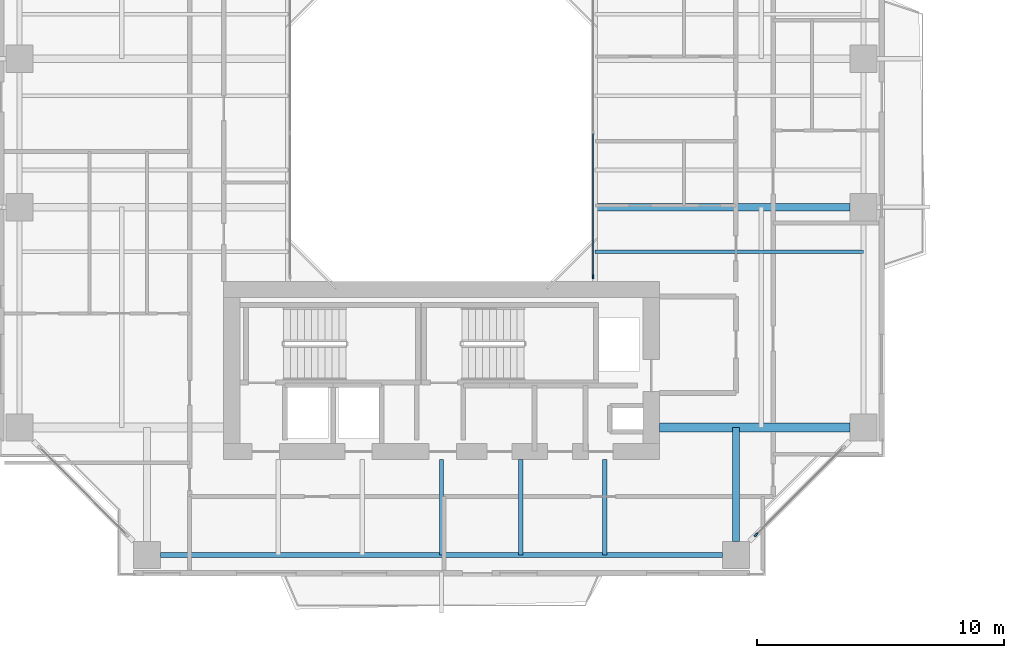
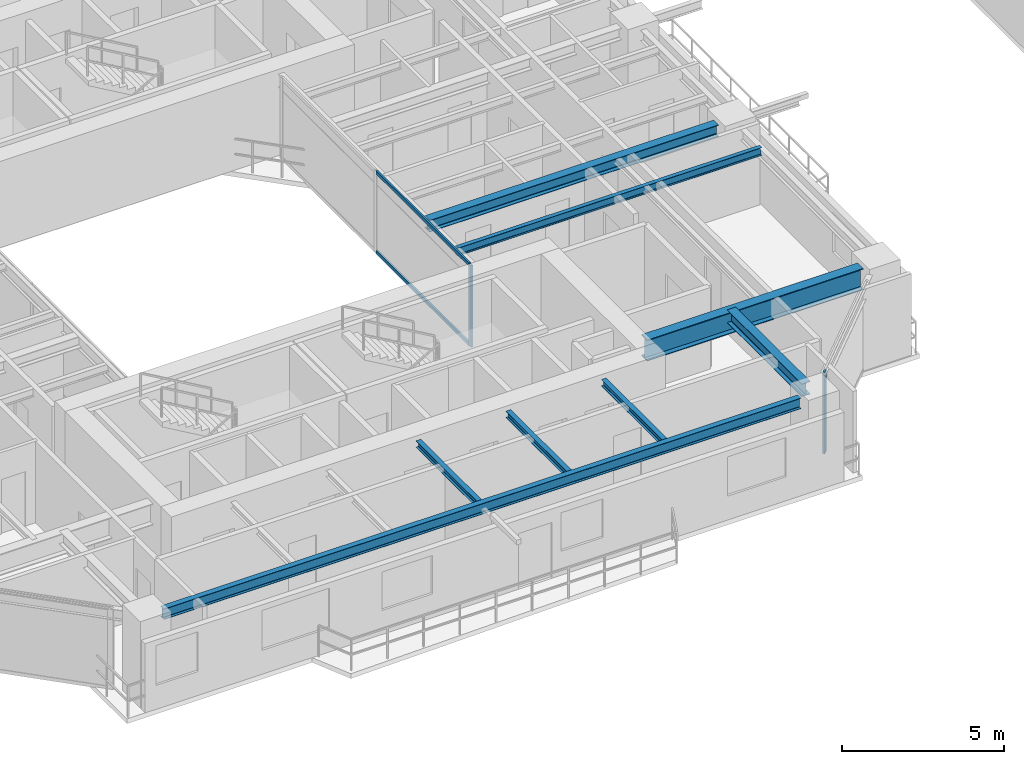
# One storey, part 4 of 23: 8 beams, 4 members, 2 elements without a shape of their own.
"""IFC4 building model written with IfcOpenShell, lengths in metres."""

import ifcopenshell
import ifcopenshell.guid

model = None  # the IFC model being written
_history = None  # IfcOwnerHistory: only IFC2X3 demands one
_inside = {}  # id of a spatial element -> (the spatial element, [elements in it])
_under = {}  # id of a project, library or spatial element -> (it, [spatial elements below it])
_declared = {}  # id of a project -> (the project, [libraries it declares])
_typed = {}  # id of a type object -> (the type object, [elements of that type])
_made_of = {}  # id of a material, layer set ... -> (it, [elements and type objects made of it])


def new_model(schema):
    """Start an empty IFC model of exactly this schema.

    Asked for "IFC4X3", IfcOpenShell would pick the latest addendum, in which some entities
    have other attributes; the version numbers below select the first issue.
    IFC2X3 requires an IfcOwnerHistory on every rooted entity: one is made here for all.
    """
    global model, _history
    if schema == "IFC4X3":
        model = ifcopenshell.file(schema_version=(4, 3, 0, 0))
    else:
        model = ifcopenshell.file(schema=schema)
    _inside.clear()
    _under.clear()
    _declared.clear()
    _typed.clear()
    _made_of.clear()
    _history = None
    if model.schema == "IFC2X3":
        org = make("IfcOrganization", Name="unknown")
        user = make(
            "IfcPersonAndOrganization",
            ThePerson=make("IfcPerson", FamilyName="unknown"),
            TheOrganization=org,
        )
        app = make(
            "IfcApplication",
            ApplicationDeveloper=org,
            Version="unknown",
            ApplicationFullName="unknown",
            ApplicationIdentifier="unknown",
        )
        _history = make(
            "IfcOwnerHistory",
            OwningUser=user,
            OwningApplication=app,
            ChangeAction="ADDED",
            CreationDate=0,
        )
    return model


def make(cls, **values):
    """One entity of the class cls with the attributes given. An attribute that is None is left unset."""
    return model.create_entity(
        cls, **{name: value for name, value in values.items() if value is not None}
    )


def rooted(cls, **values):
    """An entity with a GlobalId (a new one), such as an element, a storey or a relation."""
    return make(cls, GlobalId=ifcopenshell.guid.new(), OwnerHistory=_history, **values)


def si_unit(unit_type, name, prefix=None):
    """IfcSIUnit, for example si_unit("LENGTHUNIT", "METRE", prefix="MILLI")."""
    return make("IfcSIUnit", UnitType=unit_type, Prefix=prefix, Name=name)


def assignment(units):
    """IfcUnitAssignment: the units of a project."""
    return None if units is None else make("IfcUnitAssignment", Units=units)


def point(xyz):
    """IfcCartesianPoint."""
    return None if xyz is None else make("IfcCartesianPoint", Coordinates=xyz)


def direction(xyz):
    """IfcDirection."""
    return None if xyz is None else make("IfcDirection", DirectionRatios=xyz)


def frame(location, z_axis=None, x_axis=None):
    """IfcAxis2Placement3D, a coordinate frame: its origin and axes. An axis left out is left unset."""
    return make(
        "IfcAxis2Placement3D",
        Location=point(location),
        Axis=direction(z_axis),
        RefDirection=direction(x_axis),
    )


def frame_2d(location, x_axis=None):
    """IfcAxis2Placement2D, a coordinate frame in the plane: its origin and x axis."""
    return make(
        "IfcAxis2Placement2D", Location=point(location), RefDirection=direction(x_axis)
    )


def origin():
    """The frame at (0, 0, 0) with its axes left unset."""
    return frame((0.0, 0.0, 0.0))


def origin_2d():
    """The frame at (0, 0) in the plane with its x axis left unset."""
    return frame_2d((0.0, 0.0))


def place(relative_to, where):
    """IfcLocalPlacement: puts the frame where relative to a parent placement (None: the world)."""
    return make(
        "IfcLocalPlacement", PlacementRelTo=relative_to, RelativePlacement=where
    )


def context(
    kind, dimensions, precision=None, world=None, true_north=None, identifier=None
):
    """IfcGeometricRepresentationContext, for example the 3D "Model" context."""
    return make(
        "IfcGeometricRepresentationContext",
        ContextIdentifier=identifier,
        ContextType=kind,
        CoordinateSpaceDimension=dimensions,
        Precision=precision,
        WorldCoordinateSystem=world,
        TrueNorth=true_north,
    )


def subcontext(parent, identifier, kind, view, scale=None):
    """IfcGeometricRepresentationSubContext, for example "Body" below "Model"."""
    return make(
        "IfcGeometricRepresentationSubContext",
        ContextIdentifier=identifier,
        ContextType=kind,
        ParentContext=parent,
        TargetScale=scale,
        TargetView=view,
    )


def project(units=None, contexts=None):
    """IfcProject with its units and contexts."""
    return rooted(
        "IfcProject",
        Name="project",
        RepresentationContexts=contexts,
        UnitsInContext=assignment(units),
    )


def spatial(cls, under=None, at=None, **own):
    """A site, building, storey or space (cls), placed at a placement, below another one or the project."""
    s = rooted(cls, ObjectPlacement=at, **own)
    if under is not None:
        _under.setdefault(under.id(), (under, []))[1].append(s)
    return s


def profile(cls, at=None, kind="AREA", **sizes):
    """A parametric profile (cls). Its sizes go by their IFC names, for example OverallWidth=200.0."""
    return make(cls, ProfileType=kind, Position=at, **sizes)


def rectangle(**sizes):
    """IfcRectangleProfileDef."""
    return profile("IfcRectangleProfileDef", **sizes)


def i_section(**sizes):
    """IfcIShapeProfileDef."""
    return profile("IfcIShapeProfileDef", **sizes)


def extrude(swept, where, along, depth):
    """IfcExtrudedAreaSolid: the profile swept, set in the frame where, extruded along a direction by depth."""
    return make(
        "IfcExtrudedAreaSolid",
        SweptArea=swept,
        Position=where,
        ExtrudedDirection=direction(along),
        Depth=depth,
    )


def shape(context_of_items, identifier, shape_type, items):
    """IfcShapeRepresentation: the items that make up one representation, for example the "Body"."""
    return make(
        "IfcShapeRepresentation",
        ContextOfItems=context_of_items,
        RepresentationIdentifier=identifier,
        RepresentationType=shape_type,
        Items=items,
    )


def source(mapping_origin, context_of_items, identifier, shape_type, items):
    """IfcRepresentationMap: a shape defined once, which mapped items show again and again."""
    return make(
        "IfcRepresentationMap",
        MappingOrigin=mapping_origin,
        MappedRepresentation=shape(context_of_items, identifier, shape_type, items),
    )


def transform(
    local_origin,
    x_axis=None,
    y_axis=None,
    z_axis=None,
    scale=None,
    scale2=None,
    scale3=None,
    uniform=True,
):
    """IfcCartesianTransformationOperator3D, or its non-uniform kind. x_axis, y_axis, z_axis: its Axis1, 2, 3."""
    if uniform:
        return make(
            "IfcCartesianTransformationOperator3D",
            Axis1=direction(x_axis),
            Axis2=direction(y_axis),
            LocalOrigin=point(local_origin),
            Scale=scale,
            Axis3=direction(z_axis),
        )
    return make(
        "IfcCartesianTransformationOperator3DnonUniform",
        Axis1=direction(x_axis),
        Axis2=direction(y_axis),
        LocalOrigin=point(local_origin),
        Scale=scale,
        Axis3=direction(z_axis),
        Scale2=scale2,
        Scale3=scale3,
    )


def mapped(mapping_source, mapping_target):
    """IfcMappedItem: shows the shape of a source again, moved by a transform."""
    return make(
        "IfcMappedItem", MappingSource=mapping_source, MappingTarget=mapping_target
    )


def material(Name=None, Category=None):
    """IfcMaterial."""
    return make("IfcMaterial", Name=Name, Category=Category)


def layer(
    of_material, thickness, ventilated=None, Name=None, Category=None, Priority=None
):
    """IfcMaterialLayer: one layer of a wall or slab, of a material (None: an air gap)."""
    return make(
        "IfcMaterialLayer",
        Material=of_material,
        LayerThickness=thickness,
        IsVentilated=ventilated,
        Name=Name,
        Category=Category,
        Priority=Priority,
    )


def layer_set(layers, Name=None):
    """IfcMaterialLayerSet."""
    return make("IfcMaterialLayerSet", MaterialLayers=layers, LayerSetName=Name)


def material_profile(
    of_material, cross_section, Name=None, Category=None, Priority=None
):
    """IfcMaterialProfile: a cross section and its material."""
    return make(
        "IfcMaterialProfile",
        Name=Name,
        Material=of_material,
        Profile=cross_section,
        Priority=Priority,
        Category=Category,
    )


def profile_set(profiles, Name=None, composite=None):
    """IfcMaterialProfileSet."""
    return make(
        "IfcMaterialProfileSet",
        Name=Name,
        MaterialProfiles=profiles,
        CompositeProfile=composite,
    )


def made_of(thing, what):
    """Note that an element or type object is made of a material, layer set ...; save() writes the relation."""
    if what is not None:
        _made_of.setdefault(what.id(), (what, []))[1].append(thing)
    return thing


def type_object(cls, material=None, **own):
    """A type object (cls), such as IfcWallType, which elements share."""
    return made_of(rooted(cls, **own), material)


def element(
    cls,
    number,
    at=None,
    inside=None,
    cuts=None,
    type_object=None,
    material=None,
    context=None,
    identifier="Body",
    shape_type=None,
    held_by="IfcProductDefinitionShape",
    body=None,
    shapes=None,
    **own,
):
    """One element of the class cls, such as IfcWall. Its Tag is "e" and its number.

    at: its placement. inside: the storey or other place that contains it. cuts: it is an
    opening in that element (IfcRelVoidsElement). A single representation is given by context,
    identifier, shape_type and body (its items); several are given by shapes. held_by: the class
    of the entity that holds the representations. save() writes the other relations.
    """
    e = rooted(cls, Tag="e%d" % number, ObjectPlacement=at, **own)
    if body is not None:
        shapes = [shape(context, identifier, shape_type, body)]
    if shapes is not None:
        e.Representation = make(held_by, Representations=shapes)
    if inside is not None:
        _inside.setdefault(inside.id(), (inside, []))[1].append(e)
    if cuts is not None:
        rooted(
            "IfcRelVoidsElement", RelatingBuildingElement=cuts, RelatedOpeningElement=e
        )
    if type_object is not None:
        _typed.setdefault(type_object.id(), (type_object, []))[1].append(e)
    return made_of(e, material)


def aggregate(whole, parts):
    """IfcRelAggregates: a whole, such as a stair, and the parts it consists of."""
    return rooted("IfcRelAggregates", RelatingObject=whole, RelatedObjects=parts)


def save(model, path):
    """Write the relations noted so far, then the file.

    IfcRelAggregates (storeys below a building ...), IfcRelContainedInSpatialStructure (elements
    in a storey), IfcRelDefinesByType, IfcRelAssociatesMaterial and IfcRelDeclares: one each for
    every whole, place, type object, material and project.
    """
    for whole, parts in _under.values():
        aggregate(whole, parts)
    for where, things in _inside.values():
        rooted(
            "IfcRelContainedInSpatialStructure",
            RelatedElements=things,
            RelatingStructure=where,
        )
    for kind, things in _typed.values():
        rooted("IfcRelDefinesByType", RelatedObjects=things, RelatingType=kind)
    for what, things in _made_of.values():
        rooted("IfcRelAssociatesMaterial", RelatedObjects=things, RelatingMaterial=what)
    for by, libraries in _declared.values():
        rooted("IfcRelDeclares", RelatingContext=by, RelatedDefinitions=libraries)
    model.write(path)


model = new_model("IFC4")

# Units and contexts
model_context = context("Model", 3, precision=1e-05, world=origin(), true_north=direction((0.0, 1.0)))
body_context = subcontext(model_context, "Body", "Model", "MODEL_VIEW")
ifc_project = project(units=[si_unit("LENGTHUNIT", "METRE"), si_unit("AREAUNIT", "SQUARE_METRE"), si_unit("VOLUMEUNIT", "CUBIC_METRE"), si_unit("PLANEANGLEUNIT", "RADIAN"), si_unit("MASSUNIT", "GRAM", prefix="KILO"), si_unit("THERMODYNAMICTEMPERATUREUNIT", "KELVIN"), si_unit("POWERUNIT", "WATT")], contexts=[model_context])

# Site, building, storey
site_placement = place(None, origin())
site = spatial("IfcSite", under=ifc_project, at=site_placement, CompositionType="ELEMENT")
building_placement = place(site_placement, origin())
building = spatial("IfcBuilding", under=site, at=building_placement, Name="Qiaomeng Ring Towers", CompositionType="ELEMENT")
storey_placement = place(building_placement, frame((0.0, 0.0, 100.25)))
storey = spatial("IfcBuildingStorey", under=building, at=storey_placement, Name="L28", CompositionType="ELEMENT", Elevation=100.25)

# Beams
ifc_material_1 = material(Name="Steel Q355B", Category="steel")
ifc_material_profile_1 = material_profile(ifc_material_1, i_section(OverallWidth=0.199951171875, OverallDepth=0.39990234375, WebThickness=0.008056640625, FlangeThickness=0.012939453125, FilletRadius=0.01611328125, at=origin_2d()), Name="HN 400x200x8x13")
ifc_profile_set_1 = profile_set([ifc_material_profile_1], Name="Steel Q355B")
beam_type_1 = type_object("IfcBeamType", Name="STR-BM-HN400", PredefinedType="SPANDREL", material=ifc_profile_set_1)
shared_shape_1 = source(origin(), body_context, "Body", "SweptSolid", [
    extrude(i_section(OverallWidth=0.199951171875, OverallDepth=0.39990234375, WebThickness=0.008056640625, FlangeThickness=0.012939453125, FilletRadius=0.01611328125, at=origin_2d()), origin(), (0.0, 0.0, 1.0), 22.7021484375),
])
beam_1_placement = place(storey_placement, frame((7.64892578125, 5.949951171875, 2.8701171875), z_axis=(1.0, 0.0, 0.0), x_axis=(0.0, 1.0, 0.0)))
element("IfcBeam", 1, at=beam_1_placement, inside=storey, type_object=beam_type_1, Name="L28 beam STR-SP-L28-T1-S1-S2", PredefinedType="SPANDREL", context=body_context, shape_type="MappedRepresentation", body=[
    mapped(shared_shape_1, transform((0.0, 0.0, 0.0), x_axis=(1.0, 0.0, 0.0), y_axis=(0.0, 1.0, 0.0), z_axis=(0.0, 0.0, 1.0), scale=1.0)),
])
ifc_material_2 = material(Name="Steel Q390GJC", Category="steel")
ifc_material_profile_2 = material_profile(ifc_material_2, i_section(OverallWidth=0.35009765625, OverallDepth=0.800048828125, WebThickness=0.01611328125, FlangeThickness=0.028076171875, at=origin_2d()), Name="WH 800x350x16x28")
ifc_profile_set_2 = profile_set([ifc_material_profile_2], Name="Steel Q390GJC")
beam_type_2 = type_object("IfcBeamType", Name="STR-BM-WH800", PredefinedType="BEAM", material=ifc_profile_set_2)
shared_shape_2 = source(origin(), body_context, "Body", "SweptSolid", [
    extrude(i_section(OverallWidth=0.35009765625, OverallDepth=0.800048828125, WebThickness=0.01611328125, FlangeThickness=0.028076171875, at=origin_2d()), origin(), (0.0, 0.0, 1.0), 7.700927734375),
])
beam_2_placement = place(storey_placement, frame((27.800048828125, 11.10009765625, 2.669921875), z_axis=(1.0, 0.0, 0.0), x_axis=(0.0, 1.0, 0.0)))
element("IfcBeam", 2, at=beam_2_placement, inside=storey, type_object=beam_type_2, Name="L28 beam STR-BM-L28-T1-RAD-E1", PredefinedType="BEAM", context=body_context, shape_type="MappedRepresentation", body=[
    mapped(shared_shape_2, transform((0.0, 0.0, 0.0), x_axis=(1.0, 0.0, 0.0), y_axis=(0.0, 1.0, 0.0), z_axis=(0.0, 0.0, 1.0), scale=1.0)),
])
ifc_material_profile_3 = material_profile(ifc_material_1, i_section(OverallWidth=0.300048828125, OverallDepth=0.488037109375, WebThickness=0.010986328125, FlangeThickness=0.01806640625, FilletRadius=0.02587890625, at=origin_2d()), Name="HM 488x300x11x18")
ifc_profile_set_3 = profile_set([ifc_material_profile_3], Name="Steel Q355B")
beam_type_3 = type_object("IfcBeamType", Name="STR-BM-HM488", PredefinedType="BEAM", material=ifc_profile_set_3)
shared_shape_3 = source(origin(), body_context, "Body", "SweptSolid", [
    extrude(i_section(OverallWidth=0.300048828125, OverallDepth=0.488037109375, WebThickness=0.010986328125, FlangeThickness=0.01806640625, FilletRadius=0.02587890625, at=origin_2d()), origin(), (0.0, 0.0, 1.0), 4.60107421875),
])
beam_3_placement = place(storey_placement, frame((30.89990234375, 6.4990234375, 2.825927734375), z_axis=(0.0, 1.0, 0.0), x_axis=(-1.0, 0.0, 0.0)))
element("IfcBeam", 3, at=beam_3_placement, inside=storey, type_object=beam_type_3, Name="L28 beam STR-BM-L28-T1-RAD-S2", PredefinedType="BEAM", context=body_context, shape_type="MappedRepresentation", body=[
    mapped(shared_shape_3, transform((0.0, 0.0, 0.0), x_axis=(1.0, 0.0, 0.0), y_axis=(0.0, 1.0, 0.0), z_axis=(0.0, 0.0, 1.0), scale=1.0)),
])
ifc_material_profile_4 = material_profile(ifc_material_1, i_section(OverallWidth=0.300048828125, OverallDepth=0.43994140625, WebThickness=0.010986328125, FlangeThickness=0.01806640625, FilletRadius=0.02392578125, at=origin_2d()), Name="HM 440x300x11x18")
ifc_profile_set_4 = profile_set([ifc_material_profile_4], Name="Steel Q355B")
beam_type_4 = type_object("IfcBeamType", Name="STR-BM-HM440", PredefinedType="BEAM", material=ifc_profile_set_4)
shared_shape_4 = source(origin(), body_context, "Body", "SweptSolid", [
    extrude(i_section(OverallWidth=0.300048828125, OverallDepth=0.43994140625, WebThickness=0.010986328125, FlangeThickness=0.01806640625, FilletRadius=0.02392578125, at=origin_2d()), origin(), (0.0, 0.0, 1.0), 10.301025390625),
])
beam_4_placement = place(storey_placement, frame((25.199951171875, 20.0, 2.85009765625), z_axis=(1.0, 0.0, 0.0), x_axis=(0.0, 1.0, 0.0)))
element("IfcBeam", 4, at=beam_4_placement, inside=storey, type_object=beam_type_4, Name="L28 beam STR-BM-L28-T1-RAD-E2", PredefinedType="BEAM", context=body_context, shape_type="MappedRepresentation", body=[
    mapped(shared_shape_4, transform((0.0, 0.0, 0.0), x_axis=(1.0, 0.0, 0.0), y_axis=(0.0, 1.0, 0.0), z_axis=(0.0, 0.0, 1.0), scale=1.0)),
])
ifc_material_profile_5 = material_profile(ifc_material_1, i_section(OverallWidth=0.175048828125, OverallDepth=0.243896484375, WebThickness=0.007080078125, FlangeThickness=0.010986328125, FilletRadius=0.01611328125, at=origin_2d()), Name="HM 244x175x7x11")
ifc_profile_set_5 = profile_set([ifc_material_profile_5], Name="Steel Q355B")
beam_type_5 = type_object("IfcBeamType", Name="STR-BM-HM244", PredefinedType="JOIST", material=ifc_profile_set_5)
shared_shape_5 = source(origin(), body_context, "Body", "SweptSolid", [
    extrude(i_section(OverallWidth=0.175048828125, OverallDepth=0.243896484375, WebThickness=0.007080078125, FlangeThickness=0.010986328125, FilletRadius=0.01611328125, at=origin_2d()), origin(), (0.0, 0.0, 1.0), 3.85009765625),
])
for number, where, z_axis, x_axis, name in (
    (5, (19.0, 5.949951171875, 2.947998046875), (0.0, 1.0, 0.0), (-1.0, 0.0, 0.0), "L28 beam STR-JST-L28-T1S-3"),
    (6, (22.199951171875, 5.949951171875, 2.947998046875), (0.0, 1.0, 0.0), (-1.0, 0.0, 0.0), "L28 beam STR-JST-L28-T1S-4"),
    (7, (25.60009765625, 5.949951171875, 2.947998046875), (0.0, 1.0, 0.0), (-1.0, 0.0, 0.0), "L28 beam STR-JST-L28-T1S-5"),
):
    element("IfcBeam", number, at=place(storey_placement, frame(where, z_axis=z_axis, x_axis=x_axis)), inside=storey, type_object=beam_type_5, Name=name, PredefinedType="JOIST", context=body_context, shape_type="MappedRepresentation", body=[
        mapped(shared_shape_5, transform((0.0, 0.0, 0.0), x_axis=(1.0, 0.0, 0.0), y_axis=(0.0, 1.0, 0.0), z_axis=(0.0, 0.0, 1.0), scale=1.0)),
    ])
ifc_material_profile_6 = material_profile(ifc_material_1, i_section(OverallWidth=0.14990234375, OverallDepth=0.300048828125, WebThickness=0.006591796875, FlangeThickness=0.009033203125, FilletRadius=0.012939453125, at=origin_2d()), Name="HN 300x150x6.5x9")
ifc_profile_set_6 = profile_set([ifc_material_profile_6], Name="Steel Q355B")
beam_type_6 = type_object("IfcBeamType", Name="STR-BM-HN300", PredefinedType="JOIST", material=ifc_profile_set_6)
shared_shape_6 = source(origin(), body_context, "Body", "SweptSolid", [
    extrude(i_section(OverallWidth=0.14990234375, OverallDepth=0.300048828125, WebThickness=0.006591796875, FlangeThickness=0.009033203125, FilletRadius=0.012939453125, at=origin_2d()), origin(), (0.0, 0.0, 1.0), 10.85009765625),
])
beam_5_placement = place(storey_placement, frame((25.199951171875, 18.199951171875, 2.919921875), z_axis=(1.0, 0.0, 0.0), x_axis=(0.0, 1.0, 0.0)))
element("IfcBeam", 8, at=beam_5_placement, inside=storey, type_object=beam_type_6, Name="L28 beam STR-JST-L28-T1E-1", PredefinedType="JOIST", context=body_context, shape_type="MappedRepresentation", body=[
    mapped(shared_shape_6, transform((0.0, 0.0, 0.0), x_axis=(1.0, 0.0, 0.0), y_axis=(0.0, 1.0, 0.0), z_axis=(0.0, 0.0, 1.0), scale=1.0)),
])

# Curtain wall, members
ifc_material_3 = material(Name="Fluorocarbon dark-grey aluminium", Category="aluminium")
ifc_layer_1 = layer(ifc_material_3, 0.139892578125, Name="Fluorocarbon dark-grey aluminium")
ifc_layer_set_1 = layer_set([ifc_layer_1], Name="Fluorocarbon dark-grey aluminium")
curtain_wall_type_1 = type_object("IfcCurtainWallType", Name="ARC-CW-4", PredefinedType="NOTDEFINED", material=ifc_layer_set_1)
curtain_wall_1_placement = place(storey_placement, origin())
curtain_wall_1 = element("IfcCurtainWall", 9, at=curtain_wall_1_placement, inside=storey, type_object=curtain_wall_type_1, Name="L28 Curtain Wall CW4", PredefinedType="NOTDEFINED")
ifc_material_profile_7 = material_profile(ifc_material_3, rectangle(XDim=0.06494140625, YDim=0.159912109375, at=origin_2d()), Name="ALU MULL 65x160")
ifc_profile_set_7 = profile_set([ifc_material_profile_7], Name="Fluorocarbon dark-grey aluminium")
member_type_1 = type_object("IfcMemberType", Name="ARC-CWM-140", PredefinedType="MULLION", material=ifc_profile_set_7)
shared_shape_7 = source(origin(), body_context, "Body", "SweptSolid", [
    extrude(rectangle(XDim=0.06494140625, YDim=0.159912109375, at=origin_2d()), origin(), (0.0, 0.0, 1.0), 3.070068359375),
])
member_1_placement = place(storey_placement, frame((25.1201171875, 17.1826171875, 0.0), z_axis=(0.0, 0.0, 1.0), x_axis=(-1.0, 0.0, 0.0)))
member_1 = element("IfcMember", 10, at=member_1_placement, type_object=member_type_1, Name="CW4 mullion 1", PredefinedType="MULLION", context=body_context, shape_type="MappedRepresentation", body=[
    mapped(shared_shape_7, transform((0.0, 0.0, 0.0), x_axis=(1.0, 0.0, 0.0), y_axis=(0.0, 1.0, 0.0), z_axis=(0.0, 0.0, 1.0), scale=1.0)),
])
ifc_material_profile_8 = material_profile(ifc_material_3, rectangle(XDim=0.06494140625, YDim=0.1298828125, at=origin_2d()), Name="ALU TRAN 65x130")
ifc_profile_set_8 = profile_set([ifc_material_profile_8], Name="Fluorocarbon dark-grey aluminium")
member_type_2 = type_object("IfcMemberType", Name="ARC-CWT-120", PredefinedType="USERDEFINED", material=ifc_profile_set_8)
shared_shape_8 = source(origin(), body_context, "Body", "SweptSolid", [
    extrude(rectangle(XDim=0.06494140625, YDim=0.1298828125, at=origin_2d()), origin(), (0.0, 0.0, 1.0), 5.75244140625),
])
member_2_placement = place(storey_placement, frame((25.1201171875, 17.215087890625, 0.032470703125), z_axis=(0.0, 1.0, 0.0), x_axis=(-1.0, 0.0, 0.0)))
member_2 = element("IfcMember", 11, at=member_2_placement, type_object=member_type_2, Name="CW4 transom 1.1", ObjectType="TRANSOM", PredefinedType="USERDEFINED", context=body_context, shape_type="MappedRepresentation", body=[
    mapped(shared_shape_8, transform((0.0, 0.0, 0.0), x_axis=(1.0, 0.0, 0.0), y_axis=(0.0, 1.0, 0.0), z_axis=(0.0, 0.0, 1.0), scale=1.0)),
])
member_3_placement = place(storey_placement, frame((25.1201171875, 17.215087890625, 3.03759765625), z_axis=(0.0, 1.0, 0.0), x_axis=(-1.0, 0.0, 0.0)))
member_3 = element("IfcMember", 12, at=member_3_placement, type_object=member_type_2, Name="CW4 transom 1.2", ObjectType="TRANSOM", PredefinedType="USERDEFINED", context=body_context, shape_type="MappedRepresentation", body=[
    mapped(shared_shape_8, transform((0.0, 0.0, 0.0), x_axis=(1.0, 0.0, 0.0), y_axis=(0.0, 1.0, 0.0), z_axis=(0.0, 0.0, 1.0), scale=1.0)),
])
aggregate(curtain_wall_1, [member_1, member_2, member_3])

# Curtain wall, member
ifc_layer_2 = layer(ifc_material_3, 0.14990234375, Name="Fluorocarbon dark-grey aluminium")
ifc_layer_set_2 = layer_set([ifc_layer_2], Name="Fluorocarbon dark-grey aluminium")
curtain_wall_type_2 = type_object("IfcCurtainWallType", Name="ARC-CW-3", PredefinedType="NOTDEFINED", material=ifc_layer_set_2)
curtain_wall_2_placement = place(storey_placement, origin())
curtain_wall_2 = element("IfcCurtainWall", 13, at=curtain_wall_2_placement, inside=storey, type_object=curtain_wall_type_2, Name="L28 Curtain Wall CW3", PredefinedType="NOTDEFINED")
ifc_material_profile_9 = material_profile(ifc_material_3, rectangle(XDim=0.070068359375, YDim=0.179931640625, at=origin_2d()), Name="ALU MULL 70x180")
ifc_profile_set_9 = profile_set([ifc_material_profile_9], Name="Fluorocarbon dark-grey aluminium")
member_type_3 = type_object("IfcMemberType", Name="ARC-CWM-160", PredefinedType="MULLION", material=ifc_profile_set_9)
shared_shape_9 = source(origin(), body_context, "Body", "SweptSolid", [
    extrude(rectangle(XDim=0.070068359375, YDim=0.179931640625, at=origin_2d()), origin(), (0.0, 0.0, 1.0), 3.070068359375),
])
member_4_placement = place(storey_placement, frame((31.71484375, 6.7646484375, 0.0), z_axis=(0.0, 0.0, 1.0), x_axis=(-0.707106781187, 0.707106781187, 0.0)))
member_4 = element("IfcMember", 14, at=member_4_placement, type_object=member_type_3, Name="CW3 mullion 1", PredefinedType="MULLION", context=body_context, shape_type="MappedRepresentation", body=[
    mapped(shared_shape_9, transform((0.0, 0.0, 0.0), x_axis=(1.0, 0.0, 0.0), y_axis=(0.0, 1.0, 0.0), z_axis=(0.0, 0.0, 1.0), scale=1.0)),
])
aggregate(curtain_wall_2, [member_4])

save(model, "model.ifc")
